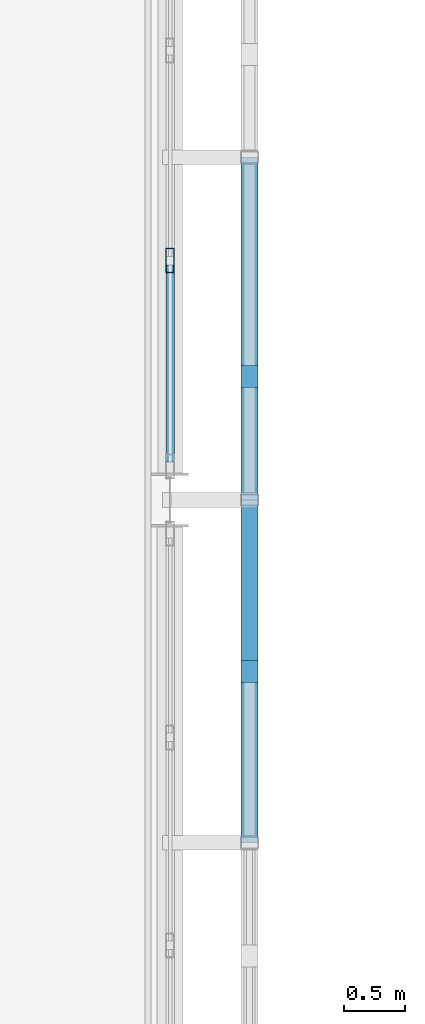
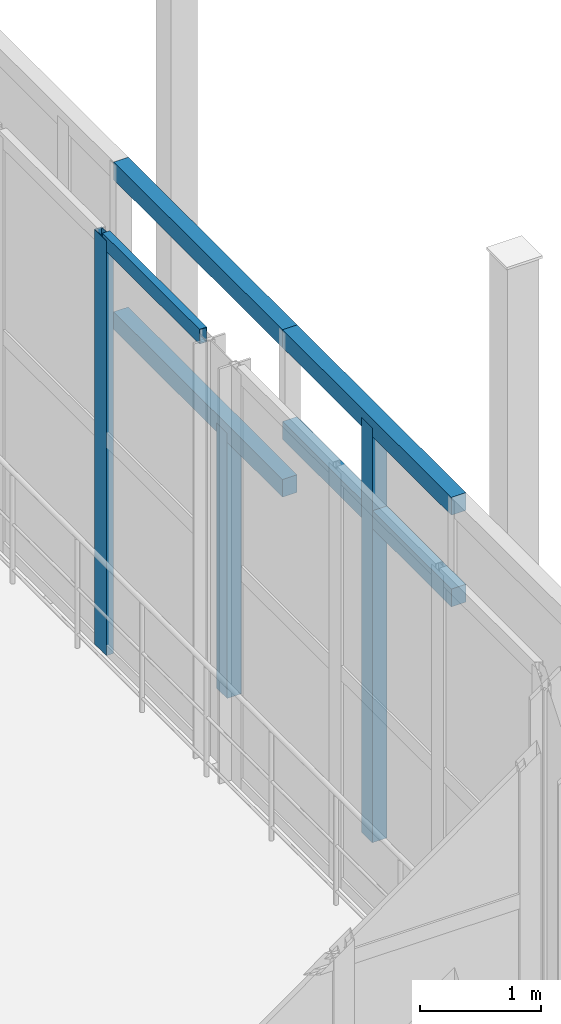
# One storey, part 33 of 138: 8 members, 1 element without a shape of its own.
"""IFC4 building model written with IfcOpenShell, lengths in metres."""

from ifc_helpers import new_model, si_unit, direction, frame, origin, origin_2d, place, context, subcontext, project, spatial, rectangle, hollow_rectangle, extrude, material, layer, layer_set, material_profile, profile_set, type_object, element, aggregate, save


model = new_model("IFC4")

# Units and contexts
model_context = context("Model", 3, precision=1e-05, world=origin(), true_north=direction((0.0, 1.0)))
body_context = subcontext(model_context, "Body", "Model", "MODEL_VIEW")
ifc_project = project(units=[si_unit("LENGTHUNIT", "METRE"), si_unit("AREAUNIT", "SQUARE_METRE"), si_unit("VOLUMEUNIT", "CUBIC_METRE"), si_unit("PLANEANGLEUNIT", "RADIAN"), si_unit("MASSUNIT", "GRAM", prefix="KILO")], contexts=[model_context])

# Site, building, storey
site_placement = place(None, origin())
site = spatial("IfcSite", under=ifc_project, at=site_placement, CompositionType="ELEMENT")
building_placement = place(site_placement, origin())
building = spatial("IfcBuilding", under=site, at=building_placement, Name="Vinh Khe Railworks Police Headquarters", CompositionType="ELEMENT")
storey_placement = place(building_placement, frame((0.0, 0.0, 9.0)))
storey = spatial("IfcBuildingStorey", under=building, at=storey_placement, Name="L02", CompositionType="ELEMENT", Elevation=9.0)

# Members
ifc_material_1 = material(Name="Salvaged ironwood timber", Category="wood")
ifc_material_profile_1 = material_profile(ifc_material_1, rectangle(XDim=0.139892578125, YDim=0.179931640625, at=origin_2d()), Name="TIMBER 140x180")
ifc_profile_set_1 = profile_set([ifc_material_profile_1], Name="Salvaged ironwood timber")
member_type_1 = type_object("IfcMemberType", Name="MEM-QUILT-STILE", PredefinedType="CHORD", material=ifc_profile_set_1)
for number, where, z_axis, x_axis, name in (
    (1, (60.64990234375, 28.0, 4.1201171875), (0.0, 1.0, 0.0), (-1.0, 0.0, 0.0), "Salvaged Timber Quilt Transom E-L02-01-TOP"),
    (2, (60.64990234375, 28.0, 3.19189453125), (0.0, 1.0, 0.0), (-1.0, 0.0, 0.0), "Salvaged Timber Quilt Transom E-L02-01-M1"),
):
    element("IfcMember", number, at=place(storey_placement, frame(where, z_axis=z_axis, x_axis=x_axis)), inside=storey, type_object=member_type_1, Name=name, PredefinedType="CHORD", context=body_context, shape_type="SweptSolid", body=[
        extrude(rectangle(XDim=0.139892578125, YDim=0.179931640625, at=origin_2d()), origin(), (0.0, 0.0, 1.0), 2.800048828125),
    ])
member_1_placement = place(storey_placement, frame((60.64990234375, 29.39990234375, -0.080078125), z_axis=(0.0, 0.0, 1.0), x_axis=(1.0, 0.0, 0.0)))
element("IfcMember", 3, at=member_1_placement, inside=storey, type_object=member_type_1, Name="Salvaged Timber Quilt Stile E-L02-01-V1", PredefinedType="POST", context=body_context, shape_type="SweptSolid", body=[
    extrude(rectangle(XDim=0.139892578125, YDim=0.179931640625, at=origin_2d()), origin(), (0.0, 0.0, 1.0), 4.2001953125),
])
for number, where, z_axis, x_axis, name in (
    (4, (60.64990234375, 30.800048828125, 4.1201171875), (0.0, 1.0, 0.0), (-1.0, 0.0, 0.0), "Salvaged Timber Quilt Transom E-L02-02-TOP"),
    (5, (60.64990234375, 30.800048828125, 2.60400390625), (0.0, 1.0, 0.0), (-1.0, 0.0, 0.0), "Salvaged Timber Quilt Transom E-L02-02-M1"),
):
    element("IfcMember", number, at=place(storey_placement, frame(where, z_axis=z_axis, x_axis=x_axis)), inside=storey, type_object=member_type_1, Name=name, PredefinedType="CHORD", context=body_context, shape_type="SweptSolid", body=[
        extrude(rectangle(XDim=0.139892578125, YDim=0.179931640625, at=origin_2d()), origin(), (0.0, 0.0, 1.0), 2.800048828125),
    ])
member_2_placement = place(storey_placement, frame((60.64990234375, 31.80810546875, -0.080078125), z_axis=(0.0, 0.0, 1.0), x_axis=(1.0, 0.0, 0.0)))
element("IfcMember", 6, at=member_2_placement, inside=storey, type_object=member_type_1, Name="Salvaged Timber Quilt Stile E-L02-02-V1", PredefinedType="POST", context=body_context, shape_type="SweptSolid", body=[
    extrude(rectangle(XDim=0.139892578125, YDim=0.179931640625, at=origin_2d()), origin(), (0.0, 0.0, 1.0), 2.68408203125),
])

# Curtain wall, members
ifc_material_2 = material(Name="Anodised aluminium and low-iron glass", Category="aluminium")
ifc_layer = layer(ifc_material_2, 0.179931640625)
ifc_layer_set = layer_set([ifc_layer], Name="Anodised aluminium and low-iron glass")
curtain_wall_type = type_object("IfcCurtainWallType", Name="CW-CUBE-UNIT", PredefinedType="USERDEFINED", material=ifc_layer_set)
curtain_wall_placement = place(storey_placement, origin())
curtain_wall = element("IfcCurtainWall", 7, at=curtain_wall_placement, inside=storey, type_object=curtain_wall_type, Name="Entrance Hall Curtain Wall L02 E-2", ObjectType="UNITISED GLAZING", PredefinedType="USERDEFINED")
ifc_material_3 = material(Name="Anodised aluminium 6063-T6", Category="aluminium")
ifc_material_profile_2 = material_profile(ifc_material_3, hollow_rectangle(XDim=0.070068359375, YDim=0.199951171875, WallThickness=0.0048828125, at=origin_2d()), Name="CW-M 70x200x5")
ifc_profile_set_2 = profile_set([ifc_material_profile_2], Name="Anodised aluminium 6063-T6")
member_type_2 = type_object("IfcMemberType", Name="MULL-CWM-03", PredefinedType="MULLION", material=ifc_profile_set_2)
member_3_placement = place(storey_placement, frame((60.0, 32.7548828125, 0.0), z_axis=(0.0, 0.0, 1.0), x_axis=(-1.0, 0.0, 0.0)))
member_3 = element("IfcMember", 8, at=member_3_placement, type_object=member_type_2, Name="CW-01 mullion 2", PredefinedType="MULLION", context=body_context, shape_type="SweptSolid", body=[
    extrude(hollow_rectangle(XDim=0.070068359375, YDim=0.199951171875, WallThickness=0.0048828125, at=origin_2d()), origin(), (0.0, 0.0, 1.0), 4.199951171875),
])
ifc_material_profile_3 = material_profile(ifc_material_3, hollow_rectangle(XDim=0.070068359375, YDim=0.14990234375, WallThickness=0.0048828125, at=origin_2d()), Name="CW-T 70x150x5")
ifc_profile_set_3 = profile_set([ifc_material_profile_3], Name="Anodised aluminium 6063-T6")
member_type_3 = type_object("IfcMemberType", Name="TRAN-CWT-03", PredefinedType="USERDEFINED", material=ifc_profile_set_3)
member_4_placement = place(storey_placement, frame((60.0, 31.110107421875, 4.1650390625), z_axis=(0.0, 1.0, 0.0), x_axis=(-1.0, 0.0, 0.0)))
member_4 = element("IfcMember", 9, at=member_4_placement, type_object=member_type_3, Name="CW-01 transom 1.3", ObjectType="TRANSOM", PredefinedType="USERDEFINED", context=body_context, shape_type="SweptSolid", body=[
    extrude(hollow_rectangle(XDim=0.070068359375, YDim=0.14990234375, WallThickness=0.0048828125, at=origin_2d()), origin(), (0.0, 0.0, 1.0), 1.60986328125),
])
aggregate(curtain_wall, [member_3, member_4])

save(model, "model.ifc")
